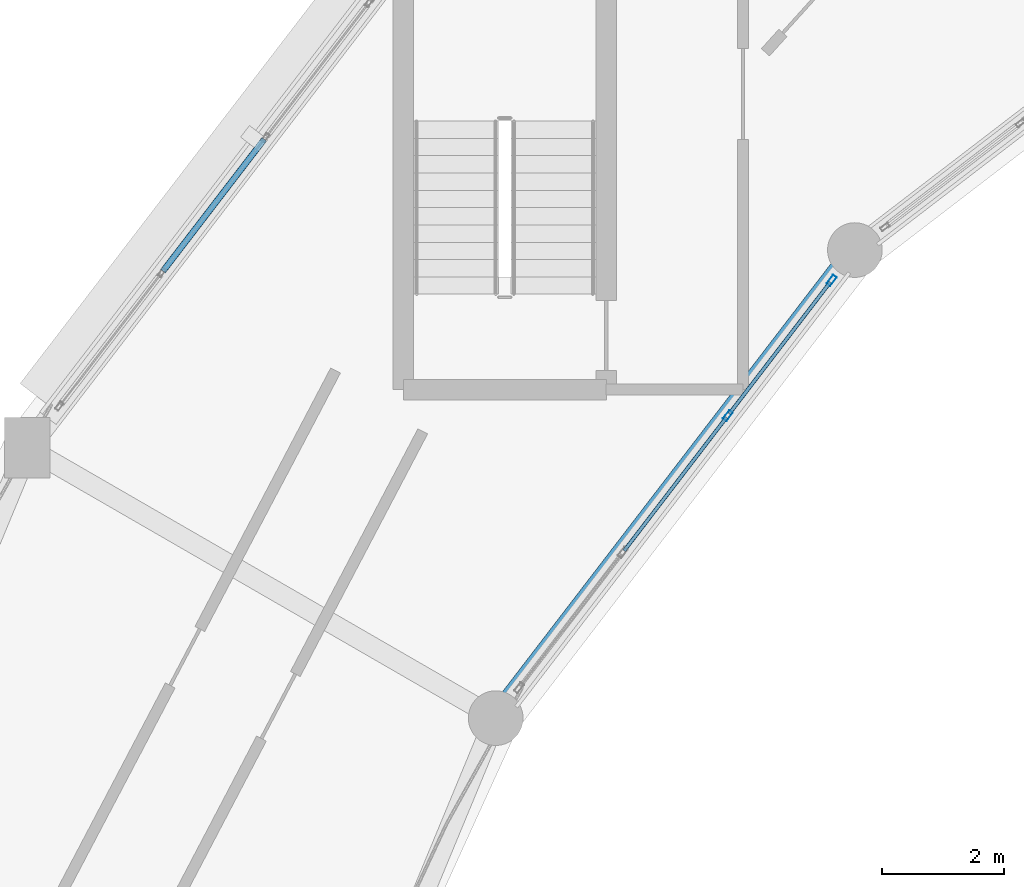
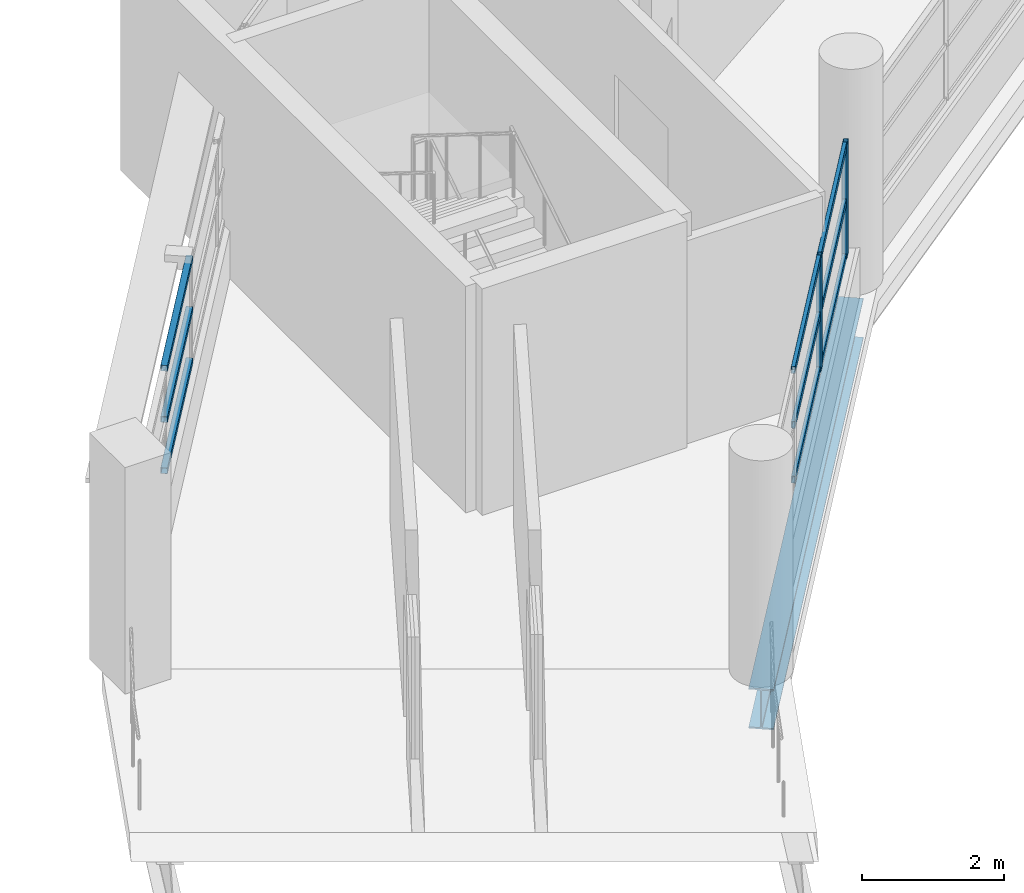
# One storey, part 41 of 121: 11 members, 1 beam, 2 elements without a shape of their own.
"""IFC4 building model written with IfcOpenShell, lengths in metres."""

from ifc_helpers import new_model, si_unit, direction, frame, origin, origin_2d, place, context, subcontext, project, spatial, hollow_rectangle, i_section, extrude, material, layer, layer_set, material_profile, profile_set, type_object, element, aggregate, save


model = new_model("IFC4")

# Units and contexts
model_context = context("Model", 3, precision=1e-05, world=origin(), true_north=direction((0.0, 1.0)))
body_context = subcontext(model_context, "Body", "Model", "MODEL_VIEW")
ifc_project = project(units=[si_unit("LENGTHUNIT", "METRE"), si_unit("AREAUNIT", "SQUARE_METRE"), si_unit("VOLUMEUNIT", "CUBIC_METRE"), si_unit("PLANEANGLEUNIT", "RADIAN"), si_unit("MASSUNIT", "GRAM", prefix="KILO")], contexts=[model_context])

# Site, building, storey
site_placement = place(None, origin())
site = spatial("IfcSite", under=ifc_project, at=site_placement, CompositionType="ELEMENT")
building_placement = place(site_placement, origin())
building = spatial("IfcBuilding", under=site, at=building_placement, Name="Vespera Passage Community Centre", CompositionType="ELEMENT")
storey_placement = place(building_placement, frame((0.0, 0.0, 8.699951171875)))
storey = spatial("IfcBuildingStorey", under=building, at=storey_placement, Name="L02", CompositionType="ELEMENT", Elevation=8.699951171875)

# Beam
ifc_material_1 = material(Name="Steel ASTM A992 Grade 50", Category="steel")
ifc_material_profile_1 = material_profile(ifc_material_1, i_section(OverallWidth=0.3544921875, OverallDepth=0.695556640625, WebThickness=0.015380859375, FlangeThickness=0.024658203125, FilletRadius=0.01513671875, at=origin_2d()), Name="W27X146")
ifc_profile_set_1 = profile_set([ifc_material_profile_1], Name="Steel ASTM A992 Grade 50")
beam_type = type_object("IfcBeamType", Name="BM-SP-W27X146E", PredefinedType="SPANDREL", material=ifc_profile_set_1)
beam_placement = place(storey_placement, frame((51.695556640625, 91.804443359375, -0.687744140625), z_axis=(-0.60875291963, -0.793359869694, 0.0), x_axis=(0.793359869694, -0.60875291963, 0.0)))
element("IfcBeam", 1, at=beam_placement, inside=storey, type_object=beam_type, Name="V4 L02 Inner Spandrel 9", PredefinedType="SPANDREL", context=body_context, shape_type="SweptSolid", body=[
    extrude(i_section(OverallWidth=0.3544921875, OverallDepth=0.695556640625, WebThickness=0.015380859375, FlangeThickness=0.024658203125, FilletRadius=0.01513671875, at=origin_2d()), origin(), (0.0, 0.0, 1.0), 9.7109375),
])

# Curtain wall, members
ifc_material_2 = material(Name="Anodized aluminium 6063-T6", Category="aluminium")
ifc_layer_1 = layer(ifc_material_2, 0.159912109375)
ifc_layer_set_1 = layer_set([ifc_layer_1], Name="Anodized aluminium 6063-T6")
curtain_wall_type_1 = type_object("IfcCurtainWallType", Name="CW-32E", PredefinedType="NOTDEFINED", material=ifc_layer_set_1)
curtain_wall_1_placement = place(storey_placement, origin())
curtain_wall_1 = element("IfcCurtainWall", 2, at=curtain_wall_1_placement, inside=storey, type_object=curtain_wall_type_1, Name="V4 L02 Inner Court Curtain Wall 9", PredefinedType="NOTDEFINED")
ifc_material_3 = material(Name="Anodized aluminium 6063-T6", Category="aluminium")
ifc_material_profile_2 = material_profile(ifc_material_3, hollow_rectangle(XDim=0.074951171875, YDim=0.179931640625, WallThickness=0.0048828125, InnerFilletRadius=0.00244140625, OuterFilletRadius=0.0048828125, at=origin_2d()), Name="ALU180X75X5")
ifc_profile_set_2 = profile_set([ifc_material_profile_2], Name="Anodized aluminium 6063-T6")
member_type_1 = type_object("IfcMemberType", Name="MB-CWM-180E", PredefinedType="MULLION", material=ifc_profile_set_2)
member_1_placement = place(storey_placement, frame((51.311767578125, 91.303955078125, 0.820068359375), z_axis=(0.0, 0.0, 1.0), x_axis=(0.793358205999, -0.608755087843, 0.0)))
member_1 = element("IfcMember", 3, at=member_1_placement, type_object=member_type_1, Name="CW-32E mullion 1", PredefinedType="MULLION", context=body_context, shape_type="SweptSolid", body=[
    extrude(hollow_rectangle(XDim=0.074951171875, YDim=0.179931640625, WallThickness=0.0048828125, InnerFilletRadius=0.00244140625, OuterFilletRadius=0.0048828125, at=origin_2d()), origin(), (0.0, 0.0, 1.0), 1.949462890625),
])
member_2_placement = place(storey_placement, frame((49.604736328125, 89.079345703125, 0.820068359375), z_axis=(0.0, 0.0, 1.0), x_axis=(0.793358205999, -0.608755087843, 0.0)))
member_2 = element("IfcMember", 4, at=member_2_placement, type_object=member_type_1, Name="CW-32E mullion 2", PredefinedType="MULLION", context=body_context, shape_type="SweptSolid", body=[
    extrude(hollow_rectangle(XDim=0.074951171875, YDim=0.179931640625, WallThickness=0.0048828125, InnerFilletRadius=0.00244140625, OuterFilletRadius=0.0048828125, at=origin_2d()), origin(), (0.0, 0.0, 1.0), 1.949462890625),
])

ifc_material_4 = material(Name="Anodized aluminium 6063-T6", Category="aluminium")
ifc_layer_2 = layer(ifc_material_4, 0.159912109375)
ifc_layer_set_2 = layer_set([ifc_layer_2], Name="Anodized aluminium 6063-T6")
curtain_wall_type_2 = type_object("IfcCurtainWallType", Name="CW-31E", PredefinedType="NOTDEFINED", material=ifc_layer_set_2)
curtain_wall_2_placement = place(storey_placement, origin())
curtain_wall_2 = element("IfcCurtainWall", 5, at=curtain_wall_2_placement, inside=storey, type_object=curtain_wall_type_2, Name="V4 L02 Outer Ribbon Curtain Wall 9", PredefinedType="NOTDEFINED")
ifc_material_5 = material(Name="Anodized aluminium 6063-T6", Category="aluminium")
ifc_material_profile_3 = material_profile(ifc_material_5, hollow_rectangle(XDim=0.10009765625, YDim=0.10009765625, WallThickness=0.00390625, InnerFilletRadius=0.001953125, OuterFilletRadius=0.00390625, at=origin_2d()), Name="ALU100X100X4")
ifc_profile_set_3 = profile_set([ifc_material_profile_3], Name="Anodized aluminium 6063-T6")
member_type_2 = type_object("IfcMemberType", Name="MB-CWT-100E", PredefinedType="USERDEFINED", material=ifc_profile_set_3)
member_3_placement = place(storey_placement, frame((40.306884765625, 91.457275390625, 0.8701171875), z_axis=(0.608787438682, 0.793333381689, 0.0), x_axis=(-0.793333381689, 0.608787438682, 0.0)))
member_3 = element("IfcMember", 6, at=member_3_placement, type_object=member_type_2, Name="CW-31E transom 2.1", ObjectType="TRANSOM", PredefinedType="USERDEFINED", context=body_context, shape_type="SweptSolid", body=[
    extrude(hollow_rectangle(XDim=0.10009765625, YDim=0.10009765625, WallThickness=0.00390625, InnerFilletRadius=0.001953125, OuterFilletRadius=0.00390625, at=origin_2d()), origin(), (0.0, 0.0, 1.0), 2.73583984375),
])
member_4_placement = place(storey_placement, frame((40.306884765625, 91.457275390625, 1.7529296875), z_axis=(0.608787438682, 0.793333381689, 0.0), x_axis=(-0.793333381689, 0.608787438682, 0.0)))
member_4 = element("IfcMember", 7, at=member_4_placement, type_object=member_type_2, Name="CW-31E transom 2.2", ObjectType="TRANSOM", PredefinedType="USERDEFINED", context=body_context, shape_type="SweptSolid", body=[
    extrude(hollow_rectangle(XDim=0.10009765625, YDim=0.10009765625, WallThickness=0.00390625, InnerFilletRadius=0.001953125, OuterFilletRadius=0.00390625, at=origin_2d()), origin(), (0.0, 0.0, 1.0), 2.73583984375),
])
member_5_placement = place(storey_placement, frame((40.306884765625, 91.457275390625, 2.6357421875), z_axis=(0.608787438682, 0.793333381689, 0.0), x_axis=(-0.793333381689, 0.608787438682, 0.0)))
member_5 = element("IfcMember", 8, at=member_5_placement, type_object=member_type_2, Name="CW-31E transom 2.3", ObjectType="TRANSOM", PredefinedType="USERDEFINED", context=body_context, shape_type="SweptSolid", body=[
    extrude(hollow_rectangle(XDim=0.10009765625, YDim=0.10009765625, WallThickness=0.00390625, InnerFilletRadius=0.001953125, OuterFilletRadius=0.00390625, at=origin_2d()), origin(), (0.0, 0.0, 1.0), 2.73583984375),
])
aggregate(curtain_wall_2, [member_3, member_4, member_5])

# Member
ifc_material_6 = material(Name="Anodized aluminium 6063-T6", Category="aluminium")
ifc_material_profile_4 = material_profile(ifc_material_6, hollow_rectangle(XDim=0.06005859375, YDim=0.1201171875, WallThickness=0.00390625, InnerFilletRadius=0.001953125, OuterFilletRadius=0.00390625, at=origin_2d()), Name="ALU120X60X4")
ifc_profile_set_4 = profile_set([ifc_material_profile_4], Name="Anodized aluminium 6063-T6")
member_type_3 = type_object("IfcMemberType", Name="MB-CWT-120E", PredefinedType="USERDEFINED", material=ifc_profile_set_4)
member_6_placement = place(storey_placement, frame((51.288818359375, 91.2744140625, 0.85009765625), z_axis=(-0.608737609183, -0.793371617318, 0.0), x_axis=(0.793371617318, -0.608737609183, 0.0)))
member_6 = element("IfcMember", 9, at=member_6_placement, type_object=member_type_3, Name="CW-32E transom 1.1", ObjectType="TRANSOM", PredefinedType="USERDEFINED", context=body_context, shape_type="SweptSolid", body=[
    extrude(hollow_rectangle(XDim=0.06005859375, YDim=0.1201171875, WallThickness=0.00390625, InnerFilletRadius=0.001953125, OuterFilletRadius=0.00390625, at=origin_2d()), origin(), (0.0, 0.0, 1.0), 2.729248046875),
])

member_7_placement = place(storey_placement, frame((51.288818359375, 91.2744140625, 1.794677734375), z_axis=(-0.608737609183, -0.793371617318, 0.0), x_axis=(0.793371617318, -0.608737609183, 0.0)))
member_7 = element("IfcMember", 10, at=member_7_placement, type_object=member_type_3, Name="CW-32E transom 1.2", ObjectType="TRANSOM", PredefinedType="USERDEFINED", context=body_context, shape_type="SweptSolid", body=[
    extrude(hollow_rectangle(XDim=0.06005859375, YDim=0.1201171875, WallThickness=0.00390625, InnerFilletRadius=0.001953125, OuterFilletRadius=0.00390625, at=origin_2d()), origin(), (0.0, 0.0, 1.0), 2.729248046875),
])

member_8_placement = place(storey_placement, frame((51.288818359375, 91.2744140625, 2.739501953125), z_axis=(-0.608737609183, -0.793371617318, 0.0), x_axis=(0.793371617318, -0.608737609183, 0.0)))
member_8 = element("IfcMember", 11, at=member_8_placement, type_object=member_type_3, Name="CW-32E transom 1.3", ObjectType="TRANSOM", PredefinedType="USERDEFINED", context=body_context, shape_type="SweptSolid", body=[
    extrude(hollow_rectangle(XDim=0.06005859375, YDim=0.1201171875, WallThickness=0.00390625, InnerFilletRadius=0.001953125, OuterFilletRadius=0.00390625, at=origin_2d()), origin(), (0.0, 0.0, 1.0), 2.729248046875),
])

member_9_placement = place(storey_placement, frame((49.581787109375, 89.049560546875, 0.85009765625), z_axis=(-0.608746452695, -0.793364831796, 0.0), x_axis=(0.793364831796, -0.608746452695, 0.0)))
member_9 = element("IfcMember", 12, at=member_9_placement, type_object=member_type_3, Name="CW-32E transom 2.1", ObjectType="TRANSOM", PredefinedType="USERDEFINED", context=body_context, shape_type="SweptSolid", body=[
    extrude(hollow_rectangle(XDim=0.06005859375, YDim=0.1201171875, WallThickness=0.00390625, InnerFilletRadius=0.001953125, OuterFilletRadius=0.00390625, at=origin_2d()), origin(), (0.0, 0.0, 1.0), 2.766357421875),
])

member_10_placement = place(storey_placement, frame((49.581787109375, 89.049560546875, 1.794677734375), z_axis=(-0.608746452695, -0.793364831796, 0.0), x_axis=(0.793364831796, -0.608746452695, 0.0)))
member_10 = element("IfcMember", 13, at=member_10_placement, type_object=member_type_3, Name="CW-32E transom 2.2", ObjectType="TRANSOM", PredefinedType="USERDEFINED", context=body_context, shape_type="SweptSolid", body=[
    extrude(hollow_rectangle(XDim=0.06005859375, YDim=0.1201171875, WallThickness=0.00390625, InnerFilletRadius=0.001953125, OuterFilletRadius=0.00390625, at=origin_2d()), origin(), (0.0, 0.0, 1.0), 2.766357421875),
])

member_11_placement = place(storey_placement, frame((49.581787109375, 89.049560546875, 2.739501953125), z_axis=(-0.608746452695, -0.793364831796, 0.0), x_axis=(0.793364831796, -0.608746452695, 0.0)))
member_11 = element("IfcMember", 14, at=member_11_placement, type_object=member_type_3, Name="CW-32E transom 2.3", ObjectType="TRANSOM", PredefinedType="USERDEFINED", context=body_context, shape_type="SweptSolid", body=[
    extrude(hollow_rectangle(XDim=0.06005859375, YDim=0.1201171875, WallThickness=0.00390625, InnerFilletRadius=0.001953125, OuterFilletRadius=0.00390625, at=origin_2d()), origin(), (0.0, 0.0, 1.0), 2.766357421875),
])

aggregate(curtain_wall_1, [member_1, member_2, member_6, member_7, member_8, member_9, member_10, member_11])

save(model, "model.ifc")
